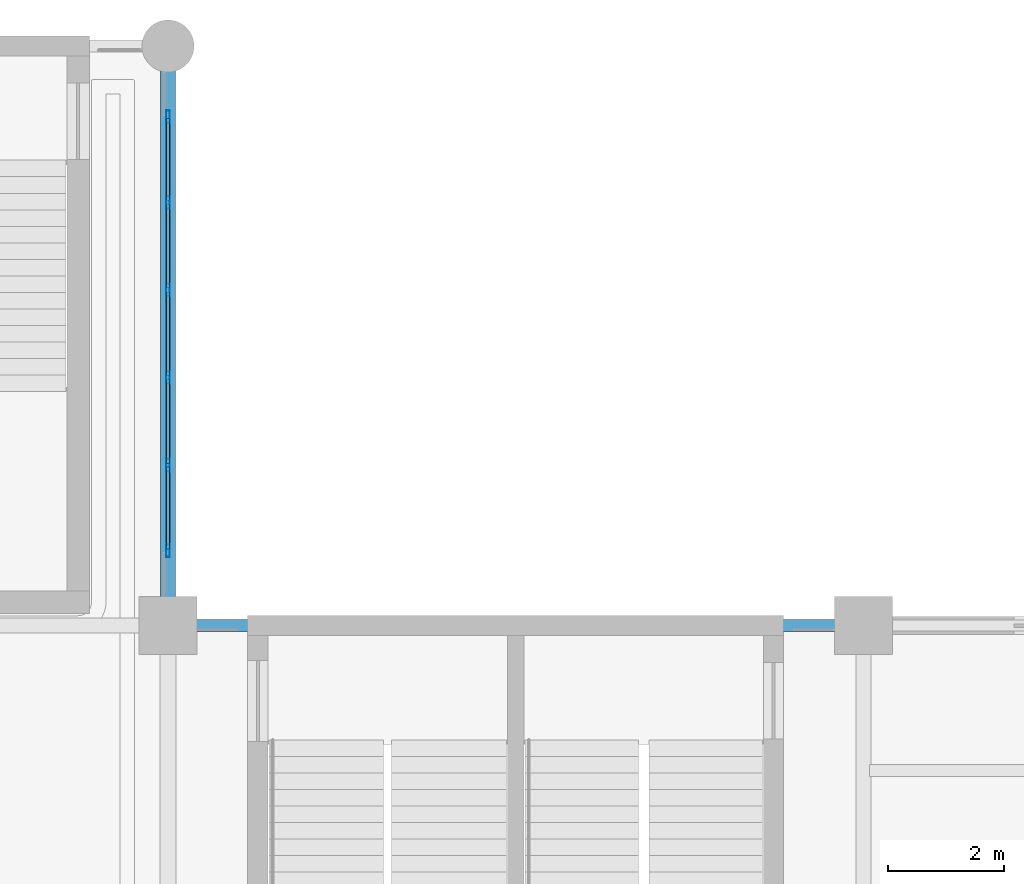
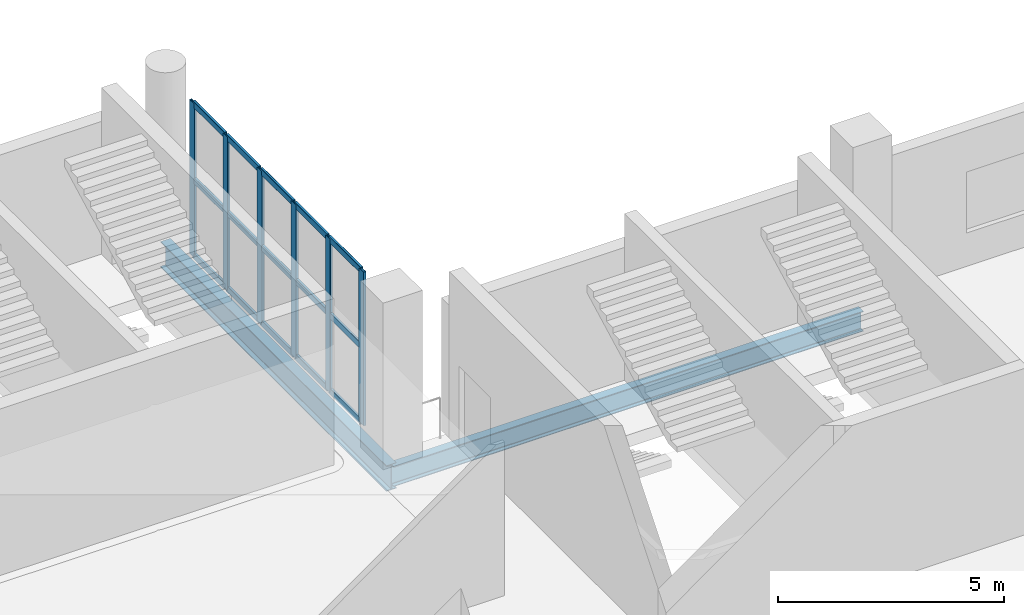
# One storey, part 62 of 108: 21 members, 2 beams, 1 element without a shape of its own.
"""IFC4 building model written with IfcOpenShell, lengths in metres."""

import ifcopenshell
import ifcopenshell.guid

model = None  # the IFC model being written
_history = None  # IfcOwnerHistory: only IFC2X3 demands one
_inside = {}  # id of a spatial element -> (the spatial element, [elements in it])
_under = {}  # id of a project, library or spatial element -> (it, [spatial elements below it])
_declared = {}  # id of a project -> (the project, [libraries it declares])
_typed = {}  # id of a type object -> (the type object, [elements of that type])
_made_of = {}  # id of a material, layer set ... -> (it, [elements and type objects made of it])


def new_model(schema):
    """Start an empty IFC model of exactly this schema.

    Asked for "IFC4X3", IfcOpenShell would pick the latest addendum, in which some entities
    have other attributes; the version numbers below select the first issue.
    IFC2X3 requires an IfcOwnerHistory on every rooted entity: one is made here for all.
    """
    global model, _history
    if schema == "IFC4X3":
        model = ifcopenshell.file(schema_version=(4, 3, 0, 0))
    else:
        model = ifcopenshell.file(schema=schema)
    _inside.clear()
    _under.clear()
    _declared.clear()
    _typed.clear()
    _made_of.clear()
    _history = None
    if model.schema == "IFC2X3":
        org = make("IfcOrganization", Name="unknown")
        user = make(
            "IfcPersonAndOrganization",
            ThePerson=make("IfcPerson", FamilyName="unknown"),
            TheOrganization=org,
        )
        app = make(
            "IfcApplication",
            ApplicationDeveloper=org,
            Version="unknown",
            ApplicationFullName="unknown",
            ApplicationIdentifier="unknown",
        )
        _history = make(
            "IfcOwnerHistory",
            OwningUser=user,
            OwningApplication=app,
            ChangeAction="ADDED",
            CreationDate=0,
        )
    return model


def make(cls, **values):
    """One entity of the class cls with the attributes given. An attribute that is None is left unset."""
    return model.create_entity(
        cls, **{name: value for name, value in values.items() if value is not None}
    )


def rooted(cls, **values):
    """An entity with a GlobalId (a new one), such as an element, a storey or a relation."""
    return make(cls, GlobalId=ifcopenshell.guid.new(), OwnerHistory=_history, **values)


def si_unit(unit_type, name, prefix=None):
    """IfcSIUnit, for example si_unit("LENGTHUNIT", "METRE", prefix="MILLI")."""
    return make("IfcSIUnit", UnitType=unit_type, Prefix=prefix, Name=name)


def assignment(units):
    """IfcUnitAssignment: the units of a project."""
    return None if units is None else make("IfcUnitAssignment", Units=units)


def point(xyz):
    """IfcCartesianPoint."""
    return None if xyz is None else make("IfcCartesianPoint", Coordinates=xyz)


def direction(xyz):
    """IfcDirection."""
    return None if xyz is None else make("IfcDirection", DirectionRatios=xyz)


def frame(location, z_axis=None, x_axis=None):
    """IfcAxis2Placement3D, a coordinate frame: its origin and axes. An axis left out is left unset."""
    return make(
        "IfcAxis2Placement3D",
        Location=point(location),
        Axis=direction(z_axis),
        RefDirection=direction(x_axis),
    )


def frame_2d(location, x_axis=None):
    """IfcAxis2Placement2D, a coordinate frame in the plane: its origin and x axis."""
    return make(
        "IfcAxis2Placement2D", Location=point(location), RefDirection=direction(x_axis)
    )


def origin():
    """The frame at (0, 0, 0) with its axes left unset."""
    return frame((0.0, 0.0, 0.0))


def origin_2d():
    """The frame at (0, 0) in the plane with its x axis left unset."""
    return frame_2d((0.0, 0.0))


def place(relative_to, where):
    """IfcLocalPlacement: puts the frame where relative to a parent placement (None: the world)."""
    return make(
        "IfcLocalPlacement", PlacementRelTo=relative_to, RelativePlacement=where
    )


def context(
    kind, dimensions, precision=None, world=None, true_north=None, identifier=None
):
    """IfcGeometricRepresentationContext, for example the 3D "Model" context."""
    return make(
        "IfcGeometricRepresentationContext",
        ContextIdentifier=identifier,
        ContextType=kind,
        CoordinateSpaceDimension=dimensions,
        Precision=precision,
        WorldCoordinateSystem=world,
        TrueNorth=true_north,
    )


def subcontext(parent, identifier, kind, view, scale=None):
    """IfcGeometricRepresentationSubContext, for example "Body" below "Model"."""
    return make(
        "IfcGeometricRepresentationSubContext",
        ContextIdentifier=identifier,
        ContextType=kind,
        ParentContext=parent,
        TargetScale=scale,
        TargetView=view,
    )


def project(units=None, contexts=None):
    """IfcProject with its units and contexts."""
    return rooted(
        "IfcProject",
        Name="project",
        RepresentationContexts=contexts,
        UnitsInContext=assignment(units),
    )


def spatial(cls, under=None, at=None, **own):
    """A site, building, storey or space (cls), placed at a placement, below another one or the project."""
    s = rooted(cls, ObjectPlacement=at, **own)
    if under is not None:
        _under.setdefault(under.id(), (under, []))[1].append(s)
    return s


def profile(cls, at=None, kind="AREA", **sizes):
    """A parametric profile (cls). Its sizes go by their IFC names, for example OverallWidth=200.0."""
    return make(cls, ProfileType=kind, Position=at, **sizes)


def hollow_rectangle(**sizes):
    """IfcRectangleHollowProfileDef."""
    return profile("IfcRectangleHollowProfileDef", **sizes)


def i_section(**sizes):
    """IfcIShapeProfileDef."""
    return profile("IfcIShapeProfileDef", **sizes)


def extrude(swept, where, along, depth):
    """IfcExtrudedAreaSolid: the profile swept, set in the frame where, extruded along a direction by depth."""
    return make(
        "IfcExtrudedAreaSolid",
        SweptArea=swept,
        Position=where,
        ExtrudedDirection=direction(along),
        Depth=depth,
    )


def shape(context_of_items, identifier, shape_type, items):
    """IfcShapeRepresentation: the items that make up one representation, for example the "Body"."""
    return make(
        "IfcShapeRepresentation",
        ContextOfItems=context_of_items,
        RepresentationIdentifier=identifier,
        RepresentationType=shape_type,
        Items=items,
    )


def material(Name=None, Category=None):
    """IfcMaterial."""
    return make("IfcMaterial", Name=Name, Category=Category)


def layer(
    of_material, thickness, ventilated=None, Name=None, Category=None, Priority=None
):
    """IfcMaterialLayer: one layer of a wall or slab, of a material (None: an air gap)."""
    return make(
        "IfcMaterialLayer",
        Material=of_material,
        LayerThickness=thickness,
        IsVentilated=ventilated,
        Name=Name,
        Category=Category,
        Priority=Priority,
    )


def layer_set(layers, Name=None):
    """IfcMaterialLayerSet."""
    return make("IfcMaterialLayerSet", MaterialLayers=layers, LayerSetName=Name)


def material_profile(
    of_material, cross_section, Name=None, Category=None, Priority=None
):
    """IfcMaterialProfile: a cross section and its material."""
    return make(
        "IfcMaterialProfile",
        Name=Name,
        Material=of_material,
        Profile=cross_section,
        Priority=Priority,
        Category=Category,
    )


def profile_set(profiles, Name=None, composite=None):
    """IfcMaterialProfileSet."""
    return make(
        "IfcMaterialProfileSet",
        Name=Name,
        MaterialProfiles=profiles,
        CompositeProfile=composite,
    )


def made_of(thing, what):
    """Note that an element or type object is made of a material, layer set ...; save() writes the relation."""
    if what is not None:
        _made_of.setdefault(what.id(), (what, []))[1].append(thing)
    return thing


def type_object(cls, material=None, **own):
    """A type object (cls), such as IfcWallType, which elements share."""
    return made_of(rooted(cls, **own), material)


def element(
    cls,
    number,
    at=None,
    inside=None,
    cuts=None,
    type_object=None,
    material=None,
    context=None,
    identifier="Body",
    shape_type=None,
    held_by="IfcProductDefinitionShape",
    body=None,
    shapes=None,
    **own,
):
    """One element of the class cls, such as IfcWall. Its Tag is "e" and its number.

    at: its placement. inside: the storey or other place that contains it. cuts: it is an
    opening in that element (IfcRelVoidsElement). A single representation is given by context,
    identifier, shape_type and body (its items); several are given by shapes. held_by: the class
    of the entity that holds the representations. save() writes the other relations.
    """
    e = rooted(cls, Tag="e%d" % number, ObjectPlacement=at, **own)
    if body is not None:
        shapes = [shape(context, identifier, shape_type, body)]
    if shapes is not None:
        e.Representation = make(held_by, Representations=shapes)
    if inside is not None:
        _inside.setdefault(inside.id(), (inside, []))[1].append(e)
    if cuts is not None:
        rooted(
            "IfcRelVoidsElement", RelatingBuildingElement=cuts, RelatedOpeningElement=e
        )
    if type_object is not None:
        _typed.setdefault(type_object.id(), (type_object, []))[1].append(e)
    return made_of(e, material)


def aggregate(whole, parts):
    """IfcRelAggregates: a whole, such as a stair, and the parts it consists of."""
    return rooted("IfcRelAggregates", RelatingObject=whole, RelatedObjects=parts)


def save(model, path):
    """Write the relations noted so far, then the file.

    IfcRelAggregates (storeys below a building ...), IfcRelContainedInSpatialStructure (elements
    in a storey), IfcRelDefinesByType, IfcRelAssociatesMaterial and IfcRelDeclares: one each for
    every whole, place, type object, material and project.
    """
    for whole, parts in _under.values():
        aggregate(whole, parts)
    for where, things in _inside.values():
        rooted(
            "IfcRelContainedInSpatialStructure",
            RelatedElements=things,
            RelatingStructure=where,
        )
    for kind, things in _typed.values():
        rooted("IfcRelDefinesByType", RelatedObjects=things, RelatingType=kind)
    for what, things in _made_of.values():
        rooted("IfcRelAssociatesMaterial", RelatedObjects=things, RelatingMaterial=what)
    for by, libraries in _declared.values():
        rooted("IfcRelDeclares", RelatingContext=by, RelatedDefinitions=libraries)
    model.write(path)


model = new_model("IFC4")

# Units and contexts
model_context = context("Model", 3, precision=1e-05, world=origin(), true_north=direction((0.0, 1.0)))
body_context = subcontext(model_context, "Body", "Model", "MODEL_VIEW")
ifc_project = project(units=[si_unit("LENGTHUNIT", "METRE"), si_unit("AREAUNIT", "SQUARE_METRE"), si_unit("VOLUMEUNIT", "CUBIC_METRE"), si_unit("PLANEANGLEUNIT", "RADIAN"), si_unit("MASSUNIT", "GRAM", prefix="KILO")], contexts=[model_context])

# Site, building, storey
site_placement = place(None, origin())
site = spatial("IfcSite", under=ifc_project, at=site_placement, CompositionType="ELEMENT")
building_placement = place(site_placement, origin())
building = spatial("IfcBuilding", under=site, at=building_placement, Name="Brinegate Civic Arena", CompositionType="ELEMENT")
storey_placement = place(building_placement, frame((0.0, 0.0, 10.199951171875)))
storey = spatial("IfcBuildingStorey", under=building, at=storey_placement, Name="L02", CompositionType="ELEMENT", Elevation=10.199951171875)

# Curtain wall, members
ifc_material_1 = material(Name="Marine grade aluminium", Category="aluminium")
ifc_layer = layer(ifc_material_1, 0.235107421875, Name="Marine grade aluminium")
ifc_layer_set = layer_set([ifc_layer], Name="Marine grade aluminium")
curtain_wall_type = type_object("IfcCurtainWallType", Name="CW-PORTAL-NORTH-01", PredefinedType="USERDEFINED", material=ifc_layer_set)
curtain_wall_placement = place(storey_placement, origin())
curtain_wall = element("IfcCurtainWall", 1, at=curtain_wall_placement, inside=storey, type_object=curtain_wall_type, Name="Curtain Wall CWA-101", ObjectType="PORTAL CURTAIN WALL", PredefinedType="USERDEFINED")
ifc_material_profile_1 = material_profile(ifc_material_1, hollow_rectangle(XDim=0.06494140625, YDim=0.219970703125, WallThickness=0.006103515625, InnerFilletRadius=0.00390625, OuterFilletRadius=0.008056640625, at=origin_2d()), Name="MUL65X220")
ifc_profile_set_1 = profile_set([ifc_material_profile_1], Name="Marine grade aluminium")
member_type_1 = type_object("IfcMemberType", Name="CW-MULLION-65X220", PredefinedType="MULLION", material=ifc_profile_set_1)
member_1_placement = place(storey_placement, frame((132.0, 115.28955078125, 0.0), z_axis=(0.0, 0.0, 1.0), x_axis=(-1.0, 0.0, 0.0)))
member_1 = element("IfcMember", 2, at=member_1_placement, type_object=member_type_1, Name="CWA-101 mullion 1", PredefinedType="MULLION", context=body_context, shape_type="SweptSolid", body=[
    extrude(hollow_rectangle(XDim=0.06494140625, YDim=0.219970703125, WallThickness=0.006103515625, InnerFilletRadius=0.00390625, OuterFilletRadius=0.008056640625, at=origin_2d()), origin(), (0.0, 0.0, 1.0), 4.150146484375),
])
member_2_placement = place(storey_placement, frame((132.0, 116.768310546875, 0.0), z_axis=(0.0, 0.0, 1.0), x_axis=(-1.0, 0.0, 0.0)))
member_2 = element("IfcMember", 3, at=member_2_placement, type_object=member_type_1, Name="CWA-101 mullion 2", PredefinedType="MULLION", context=body_context, shape_type="SweptSolid", body=[
    extrude(hollow_rectangle(XDim=0.06494140625, YDim=0.219970703125, WallThickness=0.006103515625, InnerFilletRadius=0.00390625, OuterFilletRadius=0.008056640625, at=origin_2d()), origin(), (0.0, 0.0, 1.0), 4.150146484375),
])
member_3_placement = place(storey_placement, frame((132.0, 118.27978515625, 0.0), z_axis=(0.0, 0.0, 1.0), x_axis=(-1.0, 0.0, 0.0)))
member_3 = element("IfcMember", 4, at=member_3_placement, type_object=member_type_1, Name="CWA-101 mullion 3", PredefinedType="MULLION", context=body_context, shape_type="SweptSolid", body=[
    extrude(hollow_rectangle(XDim=0.06494140625, YDim=0.219970703125, WallThickness=0.006103515625, InnerFilletRadius=0.00390625, OuterFilletRadius=0.008056640625, at=origin_2d()), origin(), (0.0, 0.0, 1.0), 4.150146484375),
])
member_4_placement = place(storey_placement, frame((132.0, 119.791259765625, 0.0), z_axis=(0.0, 0.0, 1.0), x_axis=(-1.0, 0.0, 0.0)))
member_4 = element("IfcMember", 5, at=member_4_placement, type_object=member_type_1, Name="CWA-101 mullion 4", PredefinedType="MULLION", context=body_context, shape_type="SweptSolid", body=[
    extrude(hollow_rectangle(XDim=0.06494140625, YDim=0.219970703125, WallThickness=0.006103515625, InnerFilletRadius=0.00390625, OuterFilletRadius=0.008056640625, at=origin_2d()), origin(), (0.0, 0.0, 1.0), 4.150146484375),
])
member_5_placement = place(storey_placement, frame((132.0, 121.302490234375, 0.0), z_axis=(0.0, 0.0, 1.0), x_axis=(-1.0, 0.0, 0.0)))
member_5 = element("IfcMember", 6, at=member_5_placement, type_object=member_type_1, Name="CWA-101 mullion 5", PredefinedType="MULLION", context=body_context, shape_type="SweptSolid", body=[
    extrude(hollow_rectangle(XDim=0.06494140625, YDim=0.219970703125, WallThickness=0.006103515625, InnerFilletRadius=0.00390625, OuterFilletRadius=0.008056640625, at=origin_2d()), origin(), (0.0, 0.0, 1.0), 4.150146484375),
])
member_6_placement = place(storey_placement, frame((132.0, 122.781494140625, 0.0), z_axis=(0.0, 0.0, 1.0), x_axis=(-1.0, 0.0, 0.0)))
member_6 = element("IfcMember", 7, at=member_6_placement, type_object=member_type_1, Name="CWA-101 mullion 6", PredefinedType="MULLION", context=body_context, shape_type="SweptSolid", body=[
    extrude(hollow_rectangle(XDim=0.06494140625, YDim=0.219970703125, WallThickness=0.006103515625, InnerFilletRadius=0.00390625, OuterFilletRadius=0.008056640625, at=origin_2d()), origin(), (0.0, 0.0, 1.0), 4.150146484375),
])
ifc_material_profile_2 = material_profile(ifc_material_1, hollow_rectangle(XDim=0.06494140625, YDim=0.1650390625, WallThickness=0.0048828125, InnerFilletRadius=0.00390625, OuterFilletRadius=0.008056640625, at=origin_2d()), Name="TRN65X165")
ifc_profile_set_2 = profile_set([ifc_material_profile_2], Name="Marine grade aluminium")
member_type_2 = type_object("IfcMemberType", Name="CW-TRANSOM-65X165", PredefinedType="USERDEFINED", material=ifc_profile_set_2)
member_7_placement = place(storey_placement, frame((132.0, 115.322021484375, 0.032470703125), z_axis=(0.0, 1.0, 0.0), x_axis=(-1.0, 0.0, 0.0)))
member_7 = element("IfcMember", 8, at=member_7_placement, type_object=member_type_2, Name="CWA-101 transom 1.1", ObjectType="TRANSOM", PredefinedType="USERDEFINED", context=body_context, shape_type="SweptSolid", body=[
    extrude(hollow_rectangle(XDim=0.06494140625, YDim=0.1650390625, WallThickness=0.0048828125, InnerFilletRadius=0.00390625, OuterFilletRadius=0.008056640625, at=origin_2d()), origin(), (0.0, 0.0, 1.0), 1.413818359375),
])
member_8_placement = place(storey_placement, frame((132.0, 115.322021484375, 2.074951171875), z_axis=(0.0, 1.0, 0.0), x_axis=(-1.0, 0.0, 0.0)))
member_8 = element("IfcMember", 9, at=member_8_placement, type_object=member_type_2, Name="CWA-101 transom 1.2", ObjectType="TRANSOM", PredefinedType="USERDEFINED", context=body_context, shape_type="SweptSolid", body=[
    extrude(hollow_rectangle(XDim=0.06494140625, YDim=0.1650390625, WallThickness=0.0048828125, InnerFilletRadius=0.00390625, OuterFilletRadius=0.008056640625, at=origin_2d()), origin(), (0.0, 0.0, 1.0), 1.413818359375),
])
member_9_placement = place(storey_placement, frame((132.0, 115.322021484375, 4.117431640625), z_axis=(0.0, 1.0, 0.0), x_axis=(-1.0, 0.0, 0.0)))
member_9 = element("IfcMember", 10, at=member_9_placement, type_object=member_type_2, Name="CWA-101 transom 1.3", ObjectType="TRANSOM", PredefinedType="USERDEFINED", context=body_context, shape_type="SweptSolid", body=[
    extrude(hollow_rectangle(XDim=0.06494140625, YDim=0.1650390625, WallThickness=0.0048828125, InnerFilletRadius=0.00390625, OuterFilletRadius=0.008056640625, at=origin_2d()), origin(), (0.0, 0.0, 1.0), 1.413818359375),
])
member_10_placement = place(storey_placement, frame((132.0, 116.80078125, 0.032470703125), z_axis=(0.0, 1.0, 0.0), x_axis=(-1.0, 0.0, 0.0)))
member_10 = element("IfcMember", 11, at=member_10_placement, type_object=member_type_2, Name="CWA-101 transom 2.1", ObjectType="TRANSOM", PredefinedType="USERDEFINED", context=body_context, shape_type="SweptSolid", body=[
    extrude(hollow_rectangle(XDim=0.06494140625, YDim=0.1650390625, WallThickness=0.0048828125, InnerFilletRadius=0.00390625, OuterFilletRadius=0.008056640625, at=origin_2d()), origin(), (0.0, 0.0, 1.0), 1.446533203125),
])
member_11_placement = place(storey_placement, frame((132.0, 116.80078125, 2.074951171875), z_axis=(0.0, 1.0, 0.0), x_axis=(-1.0, 0.0, 0.0)))
member_11 = element("IfcMember", 12, at=member_11_placement, type_object=member_type_2, Name="CWA-101 transom 2.2", ObjectType="TRANSOM", PredefinedType="USERDEFINED", context=body_context, shape_type="SweptSolid", body=[
    extrude(hollow_rectangle(XDim=0.06494140625, YDim=0.1650390625, WallThickness=0.0048828125, InnerFilletRadius=0.00390625, OuterFilletRadius=0.008056640625, at=origin_2d()), origin(), (0.0, 0.0, 1.0), 1.446533203125),
])
member_12_placement = place(storey_placement, frame((132.0, 116.80078125, 4.117431640625), z_axis=(0.0, 1.0, 0.0), x_axis=(-1.0, 0.0, 0.0)))
member_12 = element("IfcMember", 13, at=member_12_placement, type_object=member_type_2, Name="CWA-101 transom 2.3", ObjectType="TRANSOM", PredefinedType="USERDEFINED", context=body_context, shape_type="SweptSolid", body=[
    extrude(hollow_rectangle(XDim=0.06494140625, YDim=0.1650390625, WallThickness=0.0048828125, InnerFilletRadius=0.00390625, OuterFilletRadius=0.008056640625, at=origin_2d()), origin(), (0.0, 0.0, 1.0), 1.446533203125),
])
member_13_placement = place(storey_placement, frame((132.0, 118.312255859375, 0.032470703125), z_axis=(0.0, 1.0, 0.0), x_axis=(-1.0, 0.0, 0.0)))
member_13 = element("IfcMember", 14, at=member_13_placement, type_object=member_type_2, Name="CWA-101 transom 3.1", ObjectType="TRANSOM", PredefinedType="USERDEFINED", context=body_context, shape_type="SweptSolid", body=[
    extrude(hollow_rectangle(XDim=0.06494140625, YDim=0.1650390625, WallThickness=0.0048828125, InnerFilletRadius=0.00390625, OuterFilletRadius=0.008056640625, at=origin_2d()), origin(), (0.0, 0.0, 1.0), 1.446533203125),
])
member_14_placement = place(storey_placement, frame((132.0, 118.312255859375, 2.074951171875), z_axis=(0.0, 1.0, 0.0), x_axis=(-1.0, 0.0, 0.0)))
member_14 = element("IfcMember", 15, at=member_14_placement, type_object=member_type_2, Name="CWA-101 transom 3.2", ObjectType="TRANSOM", PredefinedType="USERDEFINED", context=body_context, shape_type="SweptSolid", body=[
    extrude(hollow_rectangle(XDim=0.06494140625, YDim=0.1650390625, WallThickness=0.0048828125, InnerFilletRadius=0.00390625, OuterFilletRadius=0.008056640625, at=origin_2d()), origin(), (0.0, 0.0, 1.0), 1.446533203125),
])
member_15_placement = place(storey_placement, frame((132.0, 118.312255859375, 4.117431640625), z_axis=(0.0, 1.0, 0.0), x_axis=(-1.0, 0.0, 0.0)))
member_15 = element("IfcMember", 16, at=member_15_placement, type_object=member_type_2, Name="CWA-101 transom 3.3", ObjectType="TRANSOM", PredefinedType="USERDEFINED", context=body_context, shape_type="SweptSolid", body=[
    extrude(hollow_rectangle(XDim=0.06494140625, YDim=0.1650390625, WallThickness=0.0048828125, InnerFilletRadius=0.00390625, OuterFilletRadius=0.008056640625, at=origin_2d()), origin(), (0.0, 0.0, 1.0), 1.446533203125),
])
member_16_placement = place(storey_placement, frame((132.0, 119.82373046875, 0.032470703125), z_axis=(0.0, 1.0, 0.0), x_axis=(-1.0, 0.0, 0.0)))
member_16 = element("IfcMember", 17, at=member_16_placement, type_object=member_type_2, Name="CWA-101 transom 4.1", ObjectType="TRANSOM", PredefinedType="USERDEFINED", context=body_context, shape_type="SweptSolid", body=[
    extrude(hollow_rectangle(XDim=0.06494140625, YDim=0.1650390625, WallThickness=0.0048828125, InnerFilletRadius=0.00390625, OuterFilletRadius=0.008056640625, at=origin_2d()), origin(), (0.0, 0.0, 1.0), 1.4462890625),
])
member_17_placement = place(storey_placement, frame((132.0, 119.82373046875, 2.074951171875), z_axis=(0.0, 1.0, 0.0), x_axis=(-1.0, 0.0, 0.0)))
member_17 = element("IfcMember", 18, at=member_17_placement, type_object=member_type_2, Name="CWA-101 transom 4.2", ObjectType="TRANSOM", PredefinedType="USERDEFINED", context=body_context, shape_type="SweptSolid", body=[
    extrude(hollow_rectangle(XDim=0.06494140625, YDim=0.1650390625, WallThickness=0.0048828125, InnerFilletRadius=0.00390625, OuterFilletRadius=0.008056640625, at=origin_2d()), origin(), (0.0, 0.0, 1.0), 1.4462890625),
])
member_18_placement = place(storey_placement, frame((132.0, 119.82373046875, 4.117431640625), z_axis=(0.0, 1.0, 0.0), x_axis=(-1.0, 0.0, 0.0)))
member_18 = element("IfcMember", 19, at=member_18_placement, type_object=member_type_2, Name="CWA-101 transom 4.3", ObjectType="TRANSOM", PredefinedType="USERDEFINED", context=body_context, shape_type="SweptSolid", body=[
    extrude(hollow_rectangle(XDim=0.06494140625, YDim=0.1650390625, WallThickness=0.0048828125, InnerFilletRadius=0.00390625, OuterFilletRadius=0.008056640625, at=origin_2d()), origin(), (0.0, 0.0, 1.0), 1.4462890625),
])
member_19_placement = place(storey_placement, frame((132.0, 121.335205078125, 0.032470703125), z_axis=(0.0, 1.0, 0.0), x_axis=(-1.0, 0.0, 0.0)))
member_19 = element("IfcMember", 20, at=member_19_placement, type_object=member_type_2, Name="CWA-101 transom 5.1", ObjectType="TRANSOM", PredefinedType="USERDEFINED", context=body_context, shape_type="SweptSolid", body=[
    extrude(hollow_rectangle(XDim=0.06494140625, YDim=0.1650390625, WallThickness=0.0048828125, InnerFilletRadius=0.00390625, OuterFilletRadius=0.008056640625, at=origin_2d()), origin(), (0.0, 0.0, 1.0), 1.413818359375),
])
member_20_placement = place(storey_placement, frame((132.0, 121.335205078125, 2.074951171875), z_axis=(0.0, 1.0, 0.0), x_axis=(-1.0, 0.0, 0.0)))
member_20 = element("IfcMember", 21, at=member_20_placement, type_object=member_type_2, Name="CWA-101 transom 5.2", ObjectType="TRANSOM", PredefinedType="USERDEFINED", context=body_context, shape_type="SweptSolid", body=[
    extrude(hollow_rectangle(XDim=0.06494140625, YDim=0.1650390625, WallThickness=0.0048828125, InnerFilletRadius=0.00390625, OuterFilletRadius=0.008056640625, at=origin_2d()), origin(), (0.0, 0.0, 1.0), 1.413818359375),
])
member_21_placement = place(storey_placement, frame((132.0, 121.335205078125, 4.117431640625), z_axis=(0.0, 1.0, 0.0), x_axis=(-1.0, 0.0, 0.0)))
member_21 = element("IfcMember", 22, at=member_21_placement, type_object=member_type_2, Name="CWA-101 transom 5.3", ObjectType="TRANSOM", PredefinedType="USERDEFINED", context=body_context, shape_type="SweptSolid", body=[
    extrude(hollow_rectangle(XDim=0.06494140625, YDim=0.1650390625, WallThickness=0.0048828125, InnerFilletRadius=0.00390625, OuterFilletRadius=0.008056640625, at=origin_2d()), origin(), (0.0, 0.0, 1.0), 1.413818359375),
])
aggregate(curtain_wall, [member_1, member_2, member_3, member_4, member_5, member_6, member_7, member_8, member_9, member_10, member_11, member_12, member_13, member_14, member_15, member_16, member_17, member_18, member_19, member_20, member_21])

# Beams
ifc_material_2 = material(Name="Steel S355", Category="steel")
ifc_material_profile_3 = material_profile(ifc_material_2, i_section(OverallWidth=0.256103515625, OverallDepth=0.693115234375, WebThickness=0.014892578125, FlangeThickness=0.02392578125, FilletRadius=0.01806640625, at=origin_2d()), Name="W690X170")
ifc_profile_set_3 = profile_set([ifc_material_profile_3], Name="Steel S355")
beam_type_1 = type_object("IfcBeamType", Name="GIRDER-W690X170", PredefinedType="BEAM", material=ifc_profile_set_3)
beam_1_placement = place(storey_placement, frame((132.0, 114.0, -0.676025390625), z_axis=(0.0, 1.0, 0.0), x_axis=(-1.0, 0.0, 0.0)))
element("IfcBeam", 23, at=beam_1_placement, inside=storey, type_object=beam_type_1, Name="Floor Girder BM-L02-GY-11-11", PredefinedType="BEAM", context=body_context, shape_type="SweptSolid", body=[
    extrude(i_section(OverallWidth=0.256103515625, OverallDepth=0.693115234375, WebThickness=0.014892578125, FlangeThickness=0.02392578125, FilletRadius=0.01806640625, at=origin_2d()), origin(), (0.0, 0.0, 1.0), 10.0),
])
ifc_material_profile_4 = material_profile(ifc_material_2, i_section(OverallWidth=0.2119140625, OverallDepth=0.5439453125, WebThickness=0.012939453125, FlangeThickness=0.02099609375, FilletRadius=0.01611328125, at=origin_2d()), Name="W530X123")
ifc_profile_set_4 = profile_set([ifc_material_profile_4], Name="Steel S355")
beam_type_2 = type_object("IfcBeamType", Name="SPANDREL-W530X123", PredefinedType="SPANDREL", material=ifc_profile_set_4)
beam_2_placement = place(storey_placement, frame((132.0, 114.0, -0.60205078125), z_axis=(1.0, 0.0, 0.0), x_axis=(0.0, 1.0, 0.0)))
element("IfcBeam", 24, at=beam_2_placement, inside=storey, type_object=beam_type_2, Name="Floor Girder BM-L02-GX-11-11", PredefinedType="SPANDREL", context=body_context, shape_type="SweptSolid", body=[
    extrude(i_section(OverallWidth=0.2119140625, OverallDepth=0.5439453125, WebThickness=0.012939453125, FlangeThickness=0.02099609375, FilletRadius=0.01611328125, at=origin_2d()), origin(), (0.0, 0.0, 1.0), 12.0),
])

save(model, "model.ifc")
